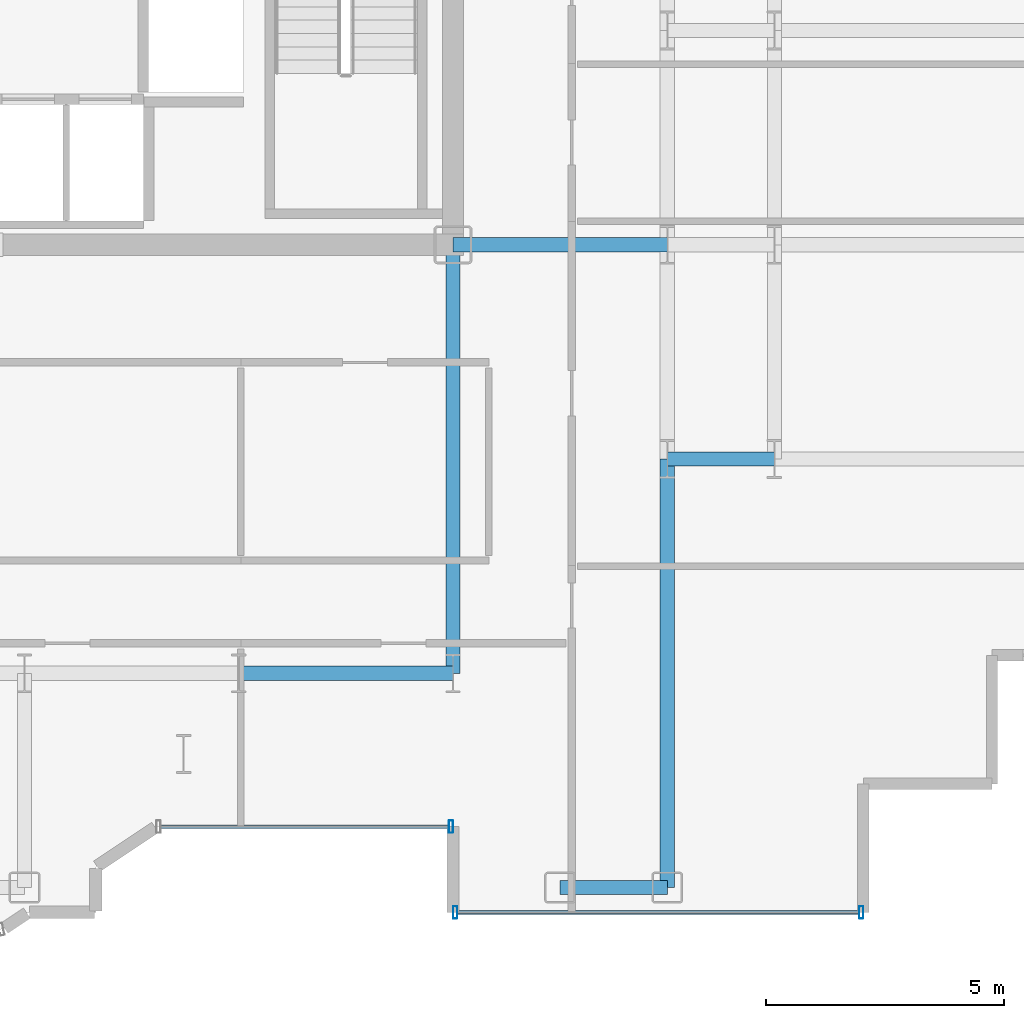
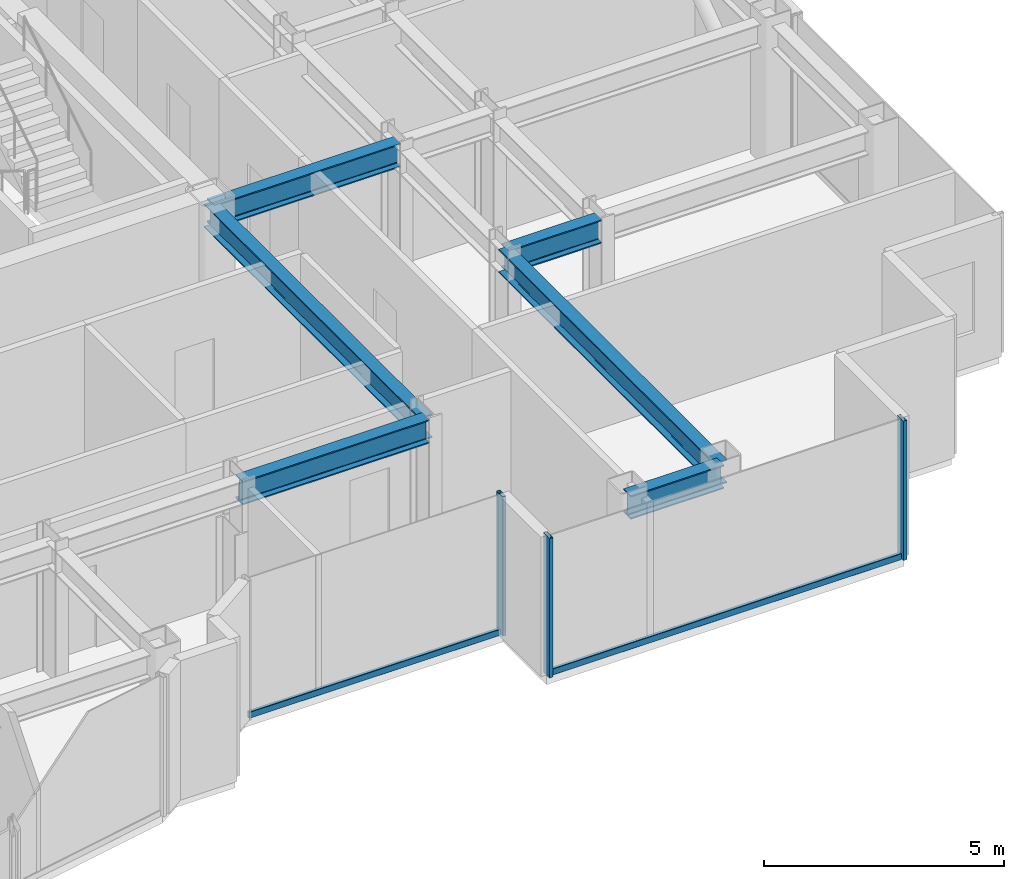
# One storey, part 6 of 21: 6 beams, 5 members, 2 elements without a shape of their own.
"""IFC4 building model written with IfcOpenShell, lengths in metres."""

from ifc_helpers import new_model, si_unit, direction, frame, origin, origin_2d, place, context, subcontext, project, spatial, hollow_rectangle, i_section, extrude, source, transform, mapped, material, layer, layer_set, material_profile, profile_set, type_object, element, aggregate, save


model = new_model("IFC4")

# Units and contexts
model_context = context("Model", 3, precision=1e-05, world=origin(), true_north=direction((0.0, 1.0)))
body_context = subcontext(model_context, "Body", "Model", "MODEL_VIEW")
ifc_project = project(units=[si_unit("LENGTHUNIT", "METRE"), si_unit("AREAUNIT", "SQUARE_METRE"), si_unit("VOLUMEUNIT", "CUBIC_METRE"), si_unit("PLANEANGLEUNIT", "RADIAN"), si_unit("MASSUNIT", "GRAM", prefix="KILO")], contexts=[model_context])

# Site, building, storey
site_placement = place(None, origin())
site = spatial("IfcSite", under=ifc_project, at=site_placement, CompositionType="ELEMENT")
building_placement = place(site_placement, origin())
building = spatial("IfcBuilding", under=site, at=building_placement, Name="Nefas-Gora Pilgrimage Tower", CompositionType="ELEMENT")
storey_placement = place(building_placement, frame((0.0, 0.0, 252.199951171875)))
storey = spatial("IfcBuildingStorey", under=building, at=storey_placement, Name="L63", CompositionType="ELEMENT", Elevation=252.199951171875)

# Beams
ifc_material_1 = material(Name="Steel S355", Category="steel")
ifc_material_profile_1 = material_profile(ifc_material_1, i_section(OverallWidth=0.300048828125, OverallDepth=0.60009765625, WebThickness=0.015380859375, FlangeThickness=0.030029296875, FilletRadius=0.027099609375, at=origin_2d()), Name="HEB 600")
ifc_profile_set_1 = profile_set([ifc_material_profile_1], Name="Steel S355")
beam_type_1 = type_object("IfcBeamType", Name="BM-GIR-HEB600", PredefinedType="BEAM", material=ifc_profile_set_1)
shared_shape_1 = source(origin(), body_context, "Body", "SweptSolid", [
    extrude(i_section(OverallWidth=0.300048828125, OverallDepth=0.60009765625, WebThickness=0.015380859375, FlangeThickness=0.030029296875, FilletRadius=0.027099609375, at=origin_2d()), origin(), (0.0, 0.0, 1.0), 9.0),
])
for number, where, z_axis, x_axis, name in (
    (1, (11.25, -18.0, 3.25), (0.0, 1.0, 0.0), (-1.0, 0.0, 0.0), "L63 G-04 beam"),
    (2, (15.75, -22.5, 3.25), (0.0, 1.0, 0.0), (-1.0, 0.0, 0.0), "L63 G-04 beam"),
):
    element("IfcBeam", number, at=place(storey_placement, frame(where, z_axis=z_axis, x_axis=x_axis)), inside=storey, type_object=beam_type_1, Name=name, PredefinedType="BEAM", context=body_context, shape_type="MappedRepresentation", body=[
        mapped(shared_shape_1, transform((0.0, 0.0, 0.0), x_axis=(1.0, 0.0, 0.0), y_axis=(0.0, 1.0, 0.0), z_axis=(0.0, 0.0, 1.0), scale=1.0)),
    ])
shared_shape_2 = source(origin(), body_context, "Body", "SweptSolid", [
    extrude(i_section(OverallWidth=0.300048828125, OverallDepth=0.60009765625, WebThickness=0.015380859375, FlangeThickness=0.030029296875, FilletRadius=0.027099609375, at=origin_2d()), origin(), (0.0, 0.0, 1.0), 4.5),
])
for number, where, z_axis, x_axis, name in (
    (3, (6.75, -18.0, 3.25), (1.0, 0.0, 0.0), (0.0, 1.0, 0.0), "L63 G-04 beam"),
    (4, (11.25, -9.0, 3.25), (1.0, 0.0, 0.0), (0.0, 1.0, 0.0), "L63 G-04 beam"),
):
    element("IfcBeam", number, at=place(storey_placement, frame(where, z_axis=z_axis, x_axis=x_axis)), inside=storey, type_object=beam_type_1, Name=name, PredefinedType="BEAM", context=body_context, shape_type="MappedRepresentation", body=[
        mapped(shared_shape_2, transform((0.0, 0.0, 0.0), x_axis=(1.0, 0.0, 0.0), y_axis=(0.0, 1.0, 0.0), z_axis=(0.0, 0.0, 1.0), scale=1.0)),
    ])
ifc_material_profile_2 = material_profile(ifc_material_1, i_section(OverallWidth=0.300048828125, OverallDepth=0.60009765625, WebThickness=0.015380859375, FlangeThickness=0.030029296875, FilletRadius=0.027099609375, at=origin_2d()), Name="HEB 600")
ifc_profile_set_2 = profile_set([ifc_material_profile_2], Name="Steel S355")
beam_type_2 = type_object("IfcBeamType", Name="BM-SPN-HEB450", PredefinedType="SPANDREL", material=ifc_profile_set_2)
shared_shape_3 = source(origin(), body_context, "Body", "SweptSolid", [
    extrude(i_section(OverallWidth=0.300048828125, OverallDepth=0.60009765625, WebThickness=0.015380859375, FlangeThickness=0.030029296875, FilletRadius=0.027099609375, at=origin_2d()), origin(), (0.0, 0.0, 1.0), 2.25),
])
beam_1_placement = place(storey_placement, frame((13.5, -22.5, 3.25), z_axis=(1.0, 0.0, 0.0), x_axis=(0.0, 1.0, 0.0)))
element("IfcBeam", 5, at=beam_1_placement, inside=storey, type_object=beam_type_2, Name="L63 SP-03 beam", PredefinedType="SPANDREL", context=body_context, shape_type="MappedRepresentation", body=[
    mapped(shared_shape_3, transform((0.0, 0.0, 0.0), x_axis=(1.0, 0.0, 0.0), y_axis=(0.0, 1.0, 0.0), z_axis=(0.0, 0.0, 1.0), scale=1.0)),
])
shared_shape_4 = source(origin(), body_context, "Body", "SweptSolid", [
    extrude(i_section(OverallWidth=0.300048828125, OverallDepth=0.60009765625, WebThickness=0.015380859375, FlangeThickness=0.030029296875, FilletRadius=0.027099609375, at=origin_2d()), origin(), (0.0, 0.0, 1.0), 2.25),
])
beam_2_placement = place(storey_placement, frame((15.75, -13.5, 3.25), z_axis=(1.0, 0.0, 0.0), x_axis=(0.0, 1.0, 0.0)))
element("IfcBeam", 6, at=beam_2_placement, inside=storey, type_object=beam_type_1, Name="L63 G-04 beam", PredefinedType="BEAM", context=body_context, shape_type="MappedRepresentation", body=[
    mapped(shared_shape_4, transform((0.0, 0.0, 0.0), x_axis=(1.0, 0.0, 0.0), y_axis=(0.0, 1.0, 0.0), z_axis=(0.0, 0.0, 1.0), scale=1.0)),
])

# Curtain wall, members
ifc_material_2 = material(Name="Dark ceramic-fritted solar-control aluminium-glass curtain wall", Category="aluminium")
ifc_layer_1 = layer(ifc_material_2, 0.219970703125)
ifc_layer_set_1 = layer_set([ifc_layer_1], Name="Dark ceramic-fritted solar-control aluminium-glass curtain wall")
curtain_wall_type_1 = type_object("IfcCurtainWallType", Name="CW-SYS-5", PredefinedType="NOTDEFINED", material=ifc_layer_set_1)
curtain_wall_1_placement = place(storey_placement, origin())
curtain_wall_1 = element("IfcCurtainWall", 7, at=curtain_wall_1_placement, inside=storey, type_object=curtain_wall_type_1, Name="L63 Unitised Curtain Wall CW5", PredefinedType="NOTDEFINED")
ifc_material_3 = material(Name="Anodised architectural aluminium", Category="aluminium")
ifc_material_profile_3 = material_profile(ifc_material_3, hollow_rectangle(XDim=0.090087890625, YDim=0.260009765625, WallThickness=0.006103515625, InnerFilletRadius=0.006103515625, OuterFilletRadius=0.011962890625, at=origin_2d()), Name="ALU MULLION 90x260")
ifc_profile_set_3 = profile_set([ifc_material_profile_3], Name="Anodised architectural aluminium")
member_type_1 = type_object("IfcMemberType", Name="CWM-MUL-5", PredefinedType="MULLION", material=ifc_profile_set_3)
shared_shape_5 = source(origin(), body_context, "Body", "SweptSolid", [
    extrude(hollow_rectangle(XDim=0.090087890625, YDim=0.260009765625, WallThickness=0.006103515625, InnerFilletRadius=0.006103515625, OuterFilletRadius=0.011962890625, at=origin_2d()), origin(), (0.0, 0.0, 1.0), 3.550048828125),
])
member_1_placement = place(storey_placement, frame((11.205078125, -21.219970703125, 0.0), z_axis=(0.0, 0.0, 1.0), x_axis=(1.0, 0.0, 0.0)))
member_1 = element("IfcMember", 8, at=member_1_placement, type_object=member_type_1, Name="CW5 Mullion 2", PredefinedType="MULLION", context=body_context, shape_type="MappedRepresentation", body=[
    mapped(shared_shape_5, transform((0.0, 0.0, 0.0), x_axis=(1.0, 0.0, 0.0), y_axis=(0.0, 1.0, 0.0), z_axis=(0.0, 0.0, 1.0), scale=1.0)),
])
ifc_material_profile_4 = material_profile(ifc_material_3, hollow_rectangle(XDim=0.080078125, YDim=0.159912109375, WallThickness=0.00439453125, InnerFilletRadius=0.00439453125, OuterFilletRadius=0.009033203125, at=origin_2d()), Name="ALU TRANSOM 80x160")
ifc_profile_set_4 = profile_set([ifc_material_profile_4], Name="Anodised architectural aluminium")
member_type_2 = type_object("IfcMemberType", Name="CWM-TRN-5", PredefinedType="USERDEFINED", material=ifc_profile_set_4)
shared_shape_6 = source(origin(), body_context, "Body", "SweptSolid", [
    extrude(hollow_rectangle(XDim=0.080078125, YDim=0.159912109375, WallThickness=0.00439453125, InnerFilletRadius=0.00439453125, OuterFilletRadius=0.009033203125, at=origin_2d()), origin(), (0.0, 0.0, 1.0), 6.052001953125),
])
member_2_placement = place(storey_placement, frame((5.10791015625, -21.219970703125, 0.050048828125), z_axis=(1.0, 0.0, 0.0), x_axis=(0.0, 1.0, 0.0)))
member_2 = element("IfcMember", 9, at=member_2_placement, type_object=member_type_2, Name="CW5 Spandrel Transom", ObjectType="TRANSOM", PredefinedType="USERDEFINED", context=body_context, shape_type="MappedRepresentation", body=[
    mapped(shared_shape_6, transform((0.0, 0.0, 0.0), x_axis=(1.0, 0.0, 0.0), y_axis=(0.0, 1.0, 0.0), z_axis=(0.0, 0.0, 1.0), scale=1.0)),
])
aggregate(curtain_wall_1, [member_1, member_2])

ifc_layer_2 = layer(ifc_material_2, 0.219970703125)
ifc_layer_set_2 = layer_set([ifc_layer_2], Name="Dark ceramic-fritted solar-control aluminium-glass curtain wall")
curtain_wall_type_2 = type_object("IfcCurtainWallType", Name="CW-SYS-3", PredefinedType="NOTDEFINED", material=ifc_layer_set_2)
curtain_wall_2_placement = place(storey_placement, origin())
curtain_wall_2 = element("IfcCurtainWall", 10, at=curtain_wall_2_placement, inside=storey, type_object=curtain_wall_type_2, Name="L63 Unitised Curtain Wall CW3", PredefinedType="NOTDEFINED")
ifc_material_profile_5 = material_profile(ifc_material_3, hollow_rectangle(XDim=0.090087890625, YDim=0.260009765625, WallThickness=0.006103515625, InnerFilletRadius=0.006103515625, OuterFilletRadius=0.011962890625, at=origin_2d()), Name="ALU MULLION 90x260")
ifc_profile_set_5 = profile_set([ifc_material_profile_5], Name="Anodised architectural aluminium")
member_type_3 = type_object("IfcMemberType", Name="CWM-MUL-3", PredefinedType="MULLION", material=ifc_profile_set_5)
shared_shape_7 = source(origin(), body_context, "Body", "SweptSolid", [
    extrude(hollow_rectangle(XDim=0.090087890625, YDim=0.260009765625, WallThickness=0.006103515625, InnerFilletRadius=0.006103515625, OuterFilletRadius=0.011962890625, at=origin_2d()), origin(), (0.0, 0.0, 1.0), 3.550048828125),
])
member_3_placement = place(storey_placement, frame((11.294921875, -23.02001953125, 0.0), z_axis=(0.0, 0.0, 1.0), x_axis=(1.0, 0.0, 0.0)))
member_3 = element("IfcMember", 11, at=member_3_placement, type_object=member_type_3, Name="CW3 Mullion 1", PredefinedType="MULLION", context=body_context, shape_type="MappedRepresentation", body=[
    mapped(shared_shape_7, transform((0.0, 0.0, 0.0), x_axis=(1.0, 0.0, 0.0), y_axis=(0.0, 1.0, 0.0), z_axis=(0.0, 0.0, 1.0), scale=1.0)),
])
member_4_placement = place(storey_placement, frame((19.824951171875, -23.02001953125, 0.0), z_axis=(0.0, 0.0, 1.0), x_axis=(1.0, 0.0, 0.0)))
member_4 = element("IfcMember", 12, at=member_4_placement, type_object=member_type_3, Name="CW3 Mullion 2", PredefinedType="MULLION", context=body_context, shape_type="MappedRepresentation", body=[
    mapped(shared_shape_7, transform((0.0, 0.0, 0.0), x_axis=(1.0, 0.0, 0.0), y_axis=(0.0, 1.0, 0.0), z_axis=(0.0, 0.0, 1.0), scale=1.0)),
])
ifc_material_profile_6 = material_profile(ifc_material_3, hollow_rectangle(XDim=0.080078125, YDim=0.159912109375, WallThickness=0.00439453125, InnerFilletRadius=0.00439453125, OuterFilletRadius=0.009033203125, at=origin_2d()), Name="ALU TRANSOM 80x160")
ifc_profile_set_6 = profile_set([ifc_material_profile_6], Name="Anodised architectural aluminium")
member_type_4 = type_object("IfcMemberType", Name="CWM-TRN-3", PredefinedType="USERDEFINED", material=ifc_profile_set_6)
shared_shape_8 = source(origin(), body_context, "Body", "SweptSolid", [
    extrude(hollow_rectangle(XDim=0.080078125, YDim=0.159912109375, WallThickness=0.00439453125, InnerFilletRadius=0.00439453125, OuterFilletRadius=0.009033203125, at=origin_2d()), origin(), (0.0, 0.0, 1.0), 8.43994140625),
])
member_5_placement = place(storey_placement, frame((11.340087890625, -23.02001953125, 0.050048828125), z_axis=(1.0, 0.0, 0.0), x_axis=(0.0, 1.0, 0.0)))
member_5 = element("IfcMember", 13, at=member_5_placement, type_object=member_type_4, Name="CW3 Spandrel Transom", ObjectType="TRANSOM", PredefinedType="USERDEFINED", context=body_context, shape_type="MappedRepresentation", body=[
    mapped(shared_shape_8, transform((0.0, 0.0, 0.0), x_axis=(1.0, 0.0, 0.0), y_axis=(0.0, 1.0, 0.0), z_axis=(0.0, 0.0, 1.0), scale=1.0)),
])
aggregate(curtain_wall_2, [member_3, member_4, member_5])

save(model, "model.ifc")
